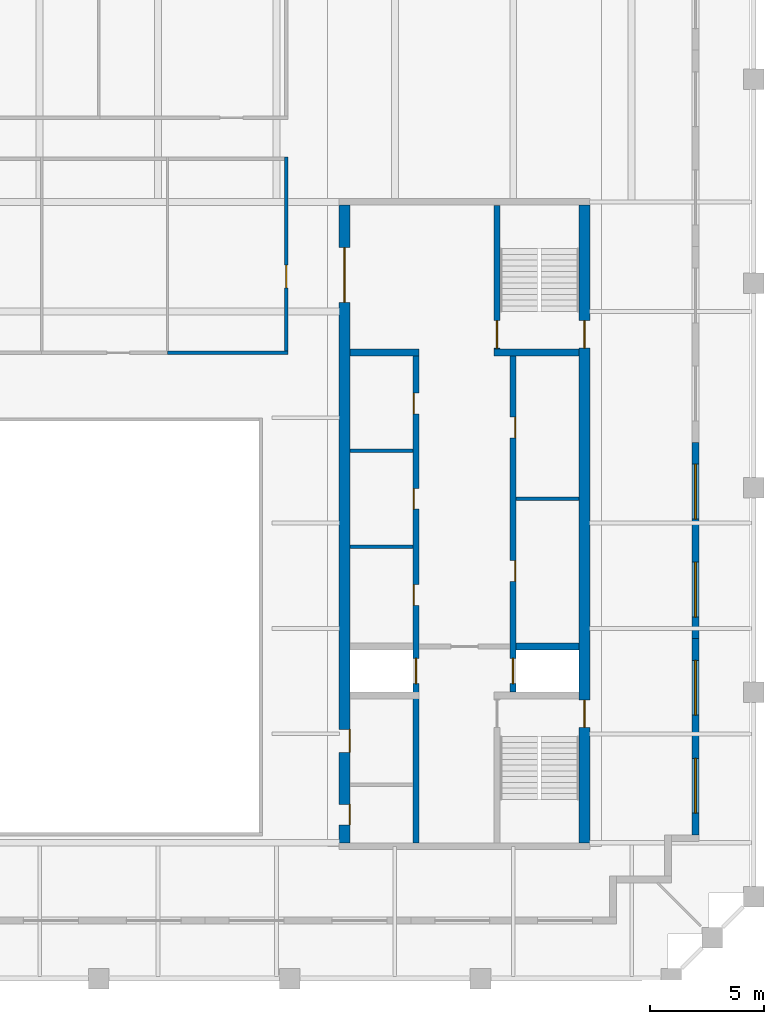
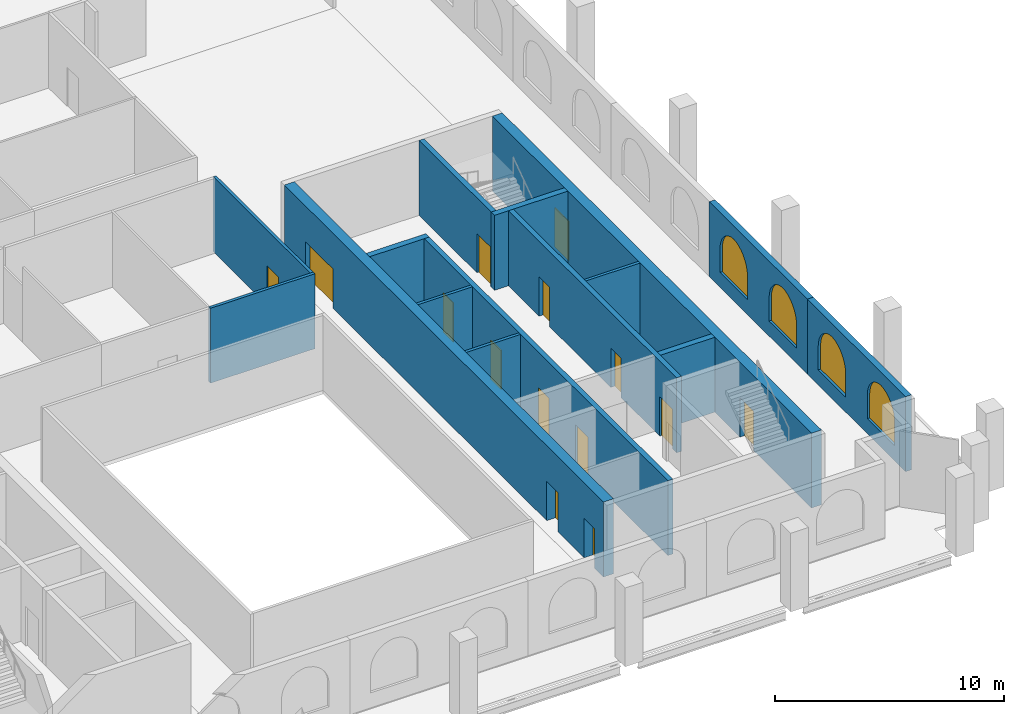
# One storey, part 5 of 10: 15 walls, 14 doors, 4 windows, 18 openings.
"""IFC4 building model written with IfcOpenShell, lengths in metres."""

from ifc_helpers import new_model, si_unit, direction, frame, frame_2d, origin, place, context, subcontext, project, spatial, polyline, rectangle, outline, extrude, material, layer, layer_set, type_object, element, fill, save


model = new_model("IFC4")

# Units and contexts
model_context = context("Model", 3, precision=1e-05, world=origin(), true_north=direction((0.0, 1.0)))
body_context = subcontext(model_context, "Body", "Model", "MODEL_VIEW")
ifc_project = project(units=[si_unit("LENGTHUNIT", "METRE"), si_unit("AREAUNIT", "SQUARE_METRE"), si_unit("VOLUMEUNIT", "CUBIC_METRE"), si_unit("PLANEANGLEUNIT", "RADIAN"), si_unit("MASSUNIT", "GRAM", prefix="KILO")], contexts=[model_context])

# Site, building, storey
site_placement = place(None, origin())
site = spatial("IfcSite", under=ifc_project, at=site_placement, CompositionType="ELEMENT")
building_placement = place(site_placement, origin())
building = spatial("IfcBuilding", under=site, at=building_placement, Name="Ogive Exchange Tower", CompositionType="ELEMENT")
storey_placement = place(building_placement, frame((0.0, 0.0, 369.0)))
storey = spatial("IfcBuildingStorey", under=building, at=storey_placement, Name="C01", CompositionType="ELEMENT", Elevation=369.0)

# Walls
ifc_material_1 = material(Name="Gypsum board partition")
ifc_layer_1 = layer(ifc_material_1, 0.14990234375)
ifc_layer_set_1 = layer_set([ifc_layer_1], Name="Core room partition 150 gypsum")
wall_type_1 = type_object("IfcWallType", Name="Core room partition 150 gypsum", PredefinedType="PARTITIONING", material=ifc_layer_set_1)
for number, where, z_axis, x_axis, name in (
    (1, (18.25, 12.60009765625, 0.0), (0.0, 0.0, 1.0), (1.0, 0.0, 0.0), "E row A bay partition 1-1"),
    (2, (11.0, 10.5, 0.0), (0.0, 0.0, 1.0), (1.0, 0.0, 0.0), "E row B bay partition 1-1"),
    (3, (11.0, 14.699951171875, 0.0), (0.0, 0.0, 1.0), (1.0, 0.0, 0.0), "E row B bay partition 1-2"),
):
    element("IfcWall", number, at=place(storey_placement, frame(where, z_axis=z_axis, x_axis=x_axis)), inside=storey, type_object=wall_type_1, Name=name, PredefinedType="PARTITIONING", context=body_context, shape_type="SweptSolid", body=[
        extrude(rectangle(XDim=2.75, YDim=0.14990234375, at=frame_2d((1.375, 0.0))), origin(), (0.0, 0.0, 1.0), 4.0),
    ])
ifc_layer_2 = layer(ifc_material_1, 0.300048828125)
ifc_layer_set_2 = layer_set([ifc_layer_2], Name="Core room partition 300 gypsum")
wall_type_2 = type_object("IfcWallType", Name="Core room partition 300 gypsum", PredefinedType="PARTITIONING", material=ifc_layer_set_2)
wall_1_placement = place(storey_placement, frame((11.0, 19.0, 0.0), z_axis=(0.0, 0.0, 1.0), x_axis=(1.0, 0.0, 0.0)))
element("IfcWall", 4, at=wall_1_placement, inside=storey, type_object=wall_type_2, Name="E row B room end wall 7", PredefinedType="PARTITIONING", context=body_context, shape_type="SweptSolid", body=[
    extrude(rectangle(XDim=3.0, YDim=0.300048828125, at=frame_2d((1.5, 0.0))), origin(), (0.0, 0.0, 1.0), 4.0),
])
ifc_material_2 = material(Name="Fire partition EI 60 150")
ifc_layer_3 = layer(ifc_material_2, 0.14990234375)
ifc_layer_set_3 = layer_set([ifc_layer_3], Name="Fire partition EI 60 150")
wall_type_3 = type_object("IfcWallType", Name="Fire partition EI 60 150", PredefinedType="PARTITIONING", material=ifc_layer_set_3)
wall_2_placement = place(storey_placement, frame((3.0, 19.0, 0.0), z_axis=(0.0, 0.0, 1.0), x_axis=(1.0, 0.0, 0.0)))
element("IfcWall", 5, at=wall_2_placement, inside=storey, type_object=wall_type_3, Name="C01-PWL-029", PredefinedType="PARTITIONING", context=body_context, shape_type="SweptSolid", body=[
    extrude(rectangle(XDim=5.27490234375, YDim=0.14990234375, at=frame_2d((2.637451171875, 0.0))), origin(), (0.0, 0.0, 1.0), 4.0),
])

# Wall, opening, door
wall_3_placement = place(storey_placement, frame((8.199951171875, 19.074951171875, 0.0), z_axis=(0.0, 0.0, 1.0), x_axis=(0.0, 1.0, 0.0)))
wall_3 = element("IfcWall", 6, at=wall_3_placement, inside=storey, type_object=wall_type_3, Name="C01-PWL-031", PredefinedType="PARTITIONING", context=body_context, shape_type="SweptSolid", body=[
    extrude(rectangle(XDim=8.47998046875, YDim=0.14990234375, at=frame_2d((4.239990234375, 0.0))), origin(), (0.0, 0.0, 1.0), 4.0),
])
opening_1_placement = place(wall_3_placement, frame((2.7548828125, 0.0, 0.0)))
opening_1 = element("IfcOpeningElement", 7, at=opening_1_placement, cuts=wall_3, Name="Opening C01-I10", PredefinedType="OPENING", context=body_context, shape_type="SweptSolid", body=[
    extrude(rectangle(XDim=1.0, YDim=2.10009765625, at=frame_2d((0.5, 1.050048828125))), frame((0.0, 0.0849609375, 0.0), z_axis=(0.0, -1.0, 0.0), x_axis=(1.0, 0.0, 0.0)), (0.0, 0.0, 1.0), 0.169921875),
])
ifc_material_3 = material(Name="Fire door FD 30S 1000 x 2100")
door_type_1 = type_object("IfcDoorType", Name="Fire door FD 30S 1000 x 2100", OperationType="NOTDEFINED", PredefinedType="DOOR", material=ifc_material_3)
door_1_placement = place(opening_1_placement, origin())
door_1 = element("IfcDoor", 8, at=door_1_placement, inside=storey, type_object=door_type_1, Name="C01-IDR-010", ObjectType="DT3", OperationType="SINGLE_SWING_RIGHT", OverallHeight=2.10009765625, OverallWidth=1.0, PredefinedType="DOOR", context=body_context, shape_type="SweptSolid", body=[
    extrude(rectangle(XDim=1.0, YDim=2.10009765625, at=frame_2d((0.5, 1.050048828125))), frame((0.0, 0.02490234375, 0.0), z_axis=(0.0, -1.0, 0.0), x_axis=(1.0, 0.0, 0.0)), (0.0, 0.0, 1.0), 0.050048828125),
])
fill(opening_1, door_1)

ifc_material_4 = material(Name="Concrete C70/85", Category="concrete")
ifc_layer_4 = layer(ifc_material_4, 0.25)
ifc_layer_set_4 = layer_set([ifc_layer_4], Name="RC core wall 250 C70/85")
wall_type_4 = type_object("IfcWallType", Name="RC core wall 250 C70/85", PredefinedType="SHEAR", material=ifc_layer_set_4)
wall_4_placement = place(storey_placement, frame((17.425048828125, 19.14990234375, 0.0), z_axis=(0.0, 0.0, 1.0), x_axis=(0.0, 1.0, 0.0)))
wall_4 = element("IfcWall", 9, at=wall_4_placement, inside=storey, type_object=wall_type_4, Name="E stair N front wall", PredefinedType="SHEAR", context=body_context, shape_type="SweptSolid", body=[
    extrude(rectangle(XDim=6.300048828125, YDim=0.25, at=frame_2d((3.14990234375, 0.0))), origin(), (0.0, 0.0, 1.0), 4.0),
])
opening_2_placement = place(wall_4_placement, frame((0.050048828125, 0.0, 0.0)))
opening_2 = element("IfcOpeningElement", 10, at=opening_2_placement, cuts=wall_4, Name="Opening C01-C27", PredefinedType="OPENING", context=body_context, shape_type="SweptSolid", body=[
    extrude(rectangle(XDim=1.199951171875, YDim=2.10009765625, at=frame_2d((0.60009765625, 1.050048828125))), frame((0.0, 0.135009765625, 0.0), z_axis=(0.0, -1.0, 0.0), x_axis=(1.0, 0.0, 0.0)), (0.0, 0.0, 1.0), 0.27001953125),
])
ifc_material_5 = material(Name="Steel fire door", Category="steel")
door_type_2 = type_object("IfcDoorType", Name="Stair door FD90 1200 x 2100", OperationType="NOTDEFINED", PredefinedType="DOOR", material=ifc_material_5)
door_2_placement = place(opening_2_placement, frame((1.199951171875, 0.0, 0.0), z_axis=(0.0, 0.0, 1.0), x_axis=(-1.0, 0.0, 0.0)))
door_2 = element("IfcDoor", 11, at=door_2_placement, inside=storey, type_object=door_type_2, Name="Stair door", ObjectType="CD5", OperationType="SINGLE_SWING_LEFT", OverallHeight=2.10009765625, OverallWidth=1.199951171875, PredefinedType="DOOR", context=body_context, shape_type="SweptSolid", body=[
    extrude(rectangle(XDim=1.199951171875, YDim=2.10009765625, at=frame_2d((0.60009765625, 1.050048828125))), frame((0.0, 0.02490234375, 0.0), z_axis=(0.0, -1.0, 0.0), x_axis=(1.0, 0.0, 0.0)), (0.0, 0.0, 1.0), 0.050048828125),
])
fill(opening_2, door_2)

# Wall, openings, doors
wall_5_placement = place(storey_placement, frame((18.125, 4.14990234375, 0.0), z_axis=(0.0, 0.0, 1.0), x_axis=(0.0, 1.0, 0.0)))
wall_5 = element("IfcWall", 12, at=wall_5_placement, inside=storey, type_object=wall_type_4, Name="E row A front wall", PredefinedType="SHEAR", context=body_context, shape_type="SweptSolid", body=[
    extrude(rectangle(XDim=14.7001953125, YDim=0.25, at=frame_2d((7.35009765625, 0.0))), origin(), (0.0, 0.0, 1.0), 4.0),
])
opening_3_placement = place(wall_5_placement, frame((4.846435546875, 0.0, 0.0)))
opening_3 = element("IfcOpeningElement", 13, at=opening_3_placement, cuts=wall_5, Name="Opening C01-C16", PredefinedType="OPENING", context=body_context, shape_type="SweptSolid", body=[
    extrude(rectangle(XDim=0.89990234375, YDim=2.10009765625, at=frame_2d((0.449951171875, 1.050048828125))), frame((0.0, 0.135009765625, 0.0), z_axis=(0.0, -1.0, 0.0), x_axis=(1.0, 0.0, 0.0)), (0.0, 0.0, 1.0), 0.27001953125),
])
opening_4_placement = place(wall_5_placement, frame((11.125, 0.0, 0.0)))
opening_4 = element("IfcOpeningElement", 14, at=opening_4_placement, cuts=wall_5, Name="Opening C01-C17", PredefinedType="OPENING", context=body_context, shape_type="SweptSolid", body=[
    extrude(rectangle(XDim=0.89990234375, YDim=2.10009765625, at=frame_2d((0.449951171875, 1.050048828125))), frame((0.0, 0.135009765625, 0.0), z_axis=(0.0, -1.0, 0.0), x_axis=(1.0, 0.0, 0.0)), (0.0, 0.0, 1.0), 0.27001953125),
])
opening_5_placement = place(wall_5_placement, frame((0.371337890625, 0.0, 0.0)))
opening_5 = element("IfcOpeningElement", 15, at=opening_5_placement, cuts=wall_5, Name="Opening C01-C18", PredefinedType="OPENING", context=body_context, shape_type="SweptSolid", body=[
    extrude(rectangle(XDim=1.10009765625, YDim=2.10009765625, at=frame_2d((0.550048828125, 1.050048828125))), frame((0.0, 0.135009765625, 0.0), z_axis=(0.0, -1.0, 0.0), x_axis=(1.0, 0.0, 0.0)), (0.0, 0.0, 1.0), 0.27001953125),
])
ifc_material_6 = material(Name="Timber fire door", Category="wood")
door_type_3 = type_object("IfcDoorType", Name="Core room door FD30S 900 x 2100", OperationType="NOTDEFINED", PredefinedType="DOOR", material=ifc_material_6)
door_3_placement = place(opening_4_placement, frame((0.89990234375, -0.2001953125, 0.0), z_axis=(0.0, 0.0, 1.0), x_axis=(-1.0, 0.0, 0.0)))
door_3 = element("IfcDoor", 16, at=door_3_placement, inside=storey, type_object=door_type_3, Name="Core room door", ObjectType="CD6", OperationType="SINGLE_SWING_LEFT", OverallHeight=2.10009765625, OverallWidth=0.89990234375, PredefinedType="DOOR", context=body_context, shape_type="SweptSolid", body=[
    extrude(rectangle(XDim=0.89990234375, YDim=2.10009765625, at=frame_2d((0.449951171875, 1.050048828125))), frame((0.0, -0.0751953125, 0.0), z_axis=(0.0, -1.0, 0.0), x_axis=(1.0, 0.0, 0.0)), (0.0, 0.0, 1.0), 0.050048828125),
])
fill(opening_4, door_3)
ifc_material_7 = material(Name="Stainless steel", Category="steel")
door_type_4 = type_object("IfcDoorType", Name="Lift landing door FD90 1100 x 2100", OperationType="SLIDING_TO_LEFT", PredefinedType="DOOR", material=ifc_material_7)
door_4_placement = place(opening_5_placement, origin())
door_4 = element("IfcDoor", 17, at=door_4_placement, inside=storey, type_object=door_type_4, Name="Lift landing door FF2", ObjectType="LD", OperationType="SLIDING_TO_LEFT", OverallHeight=2.10009765625, OverallWidth=1.10009765625, PredefinedType="DOOR", context=body_context, shape_type="SweptSolid", body=[
    extrude(rectangle(XDim=1.10009765625, YDim=2.10009765625, at=frame_2d((0.550048828125, 1.050048828125))), frame((0.0, 0.02490234375, 0.0), z_axis=(0.0, -1.0, 0.0), x_axis=(1.0, 0.0, 0.0)), (0.0, 0.0, 1.0), 0.050048828125),
])
fill(opening_5, door_4)
door_type_5 = type_object("IfcDoorType", Name="Riser door FD60 900 x 2100", OperationType="NOTDEFINED", PredefinedType="DOOR", material=ifc_material_5)
door_5_placement = place(opening_3_placement, frame((0.89990234375, -0.2001953125, 0.0), z_axis=(0.0, 0.0, 1.0), x_axis=(-1.0, 0.0, 0.0)))
door_5 = element("IfcDoor", 18, at=door_5_placement, inside=storey, type_object=door_type_5, Name="Riser door", ObjectType="CD2", OperationType="SINGLE_SWING_LEFT", OverallHeight=2.10009765625, OverallWidth=0.89990234375, PredefinedType="DOOR", context=body_context, shape_type="SweptSolid", body=[
    extrude(rectangle(XDim=0.89990234375, YDim=2.10009765625, at=frame_2d((0.449951171875, 1.050048828125))), frame((0.0, -0.0751953125, 0.0), z_axis=(0.0, -1.0, 0.0), x_axis=(1.0, 0.0, 0.0)), (0.0, 0.0, 1.0), 0.050048828125),
])
fill(opening_3, door_5)

wall_6_placement = place(storey_placement, frame((13.875, -2.449951171875, 0.0), z_axis=(0.0, 0.0, 1.0), x_axis=(0.0, 1.0, 0.0)))
wall_6 = element("IfcWall", 19, at=wall_6_placement, inside=storey, type_object=wall_type_4, Name="E row B front wall", PredefinedType="SHEAR", context=body_context, shape_type="SweptSolid", body=[
    extrude(rectangle(XDim=21.300048828125, YDim=0.25, at=frame_2d((10.64990234375, 0.0))), origin(), (0.0, 0.0, 1.0), 4.0),
])
opening_6_placement = place(wall_6_placement, frame((10.396484375, 0.0, 0.0)))
opening_6 = element("IfcOpeningElement", 20, at=opening_6_placement, cuts=wall_6, Name="Opening C01-C19", PredefinedType="OPENING", context=body_context, shape_type="SweptSolid", body=[
    extrude(rectangle(XDim=0.89990234375, YDim=2.10009765625, at=frame_2d((0.449951171875, 1.050048828125))), frame((0.0, 0.135009765625, 0.0), z_axis=(0.0, -1.0, 0.0), x_axis=(1.0, 0.0, 0.0)), (0.0, 0.0, 1.0), 0.27001953125),
])
opening_7_placement = place(wall_6_placement, frame((14.60009765625, 0.0, 0.0)))
opening_7 = element("IfcOpeningElement", 21, at=opening_7_placement, cuts=wall_6, Name="Opening C01-C20", PredefinedType="OPENING", context=body_context, shape_type="SweptSolid", body=[
    extrude(rectangle(XDim=0.89990234375, YDim=2.10009765625, at=frame_2d((0.449951171875, 1.050048828125))), frame((0.0, 0.135009765625, 0.0), z_axis=(0.0, -1.0, 0.0), x_axis=(1.0, 0.0, 0.0)), (0.0, 0.0, 1.0), 0.27001953125),
])
opening_8_placement = place(wall_6_placement, frame((18.77490234375, 0.0, 0.0)))
opening_8 = element("IfcOpeningElement", 22, at=opening_8_placement, cuts=wall_6, Name="Opening C01-C21", PredefinedType="OPENING", context=body_context, shape_type="SweptSolid", body=[
    extrude(rectangle(XDim=0.89990234375, YDim=2.10009765625, at=frame_2d((0.449951171875, 1.050048828125))), frame((0.0, 0.135009765625, 0.0), z_axis=(0.0, -1.0, 0.0), x_axis=(1.0, 0.0, 0.0)), (0.0, 0.0, 1.0), 0.27001953125),
])
opening_9_placement = place(wall_6_placement, frame((6.971435546875, 0.0, 0.0)))
opening_9 = element("IfcOpeningElement", 23, at=opening_9_placement, cuts=wall_6, Name="Opening C01-C22", PredefinedType="OPENING", context=body_context, shape_type="SweptSolid", body=[
    extrude(rectangle(XDim=1.10009765625, YDim=2.10009765625, at=frame_2d((0.550048828125, 1.050048828125))), frame((0.0, 0.135009765625, 0.0), z_axis=(0.0, -1.0, 0.0), x_axis=(1.0, 0.0, 0.0)), (0.0, 0.0, 1.0), 0.27001953125),
])
door_6_placement = place(opening_6_placement, origin())
door_6 = element("IfcDoor", 24, at=door_6_placement, inside=storey, type_object=door_type_3, Name="Core room door", ObjectType="CD6", OperationType="SINGLE_SWING_LEFT", OverallHeight=2.10009765625, OverallWidth=0.89990234375, PredefinedType="DOOR", context=body_context, shape_type="SweptSolid", body=[
    extrude(rectangle(XDim=0.89990234375, YDim=2.10009765625, at=frame_2d((0.449951171875, 1.050048828125))), frame((0.0, 0.125, 0.0), z_axis=(0.0, -1.0, 0.0), x_axis=(1.0, 0.0, 0.0)), (0.0, 0.0, 1.0), 0.050048828125),
])
fill(opening_6, door_6)
door_7_placement = place(opening_9_placement, origin())
door_7 = element("IfcDoor", 25, at=door_7_placement, inside=storey, type_object=door_type_4, Name="Lift landing door SV2", ObjectType="LD", OperationType="SLIDING_TO_LEFT", OverallHeight=2.10009765625, OverallWidth=1.10009765625, PredefinedType="DOOR", context=body_context, shape_type="SweptSolid", body=[
    extrude(rectangle(XDim=1.10009765625, YDim=2.10009765625, at=frame_2d((0.550048828125, 1.050048828125))), frame((0.0, 0.02490234375, 0.0), z_axis=(0.0, -1.0, 0.0), x_axis=(1.0, 0.0, 0.0)), (0.0, 0.0, 1.0), 0.050048828125),
])
fill(opening_9, door_7)
door_8_placement = place(opening_7_placement, origin())
door_8 = element("IfcDoor", 26, at=door_8_placement, inside=storey, type_object=door_type_5, Name="Riser door", ObjectType="CD2", OperationType="SINGLE_SWING_RIGHT", OverallHeight=2.10009765625, OverallWidth=0.89990234375, PredefinedType="DOOR", context=body_context, shape_type="SweptSolid", body=[
    extrude(rectangle(XDim=0.89990234375, YDim=2.10009765625, at=frame_2d((0.449951171875, 1.050048828125))), frame((0.0, 0.125, 0.0), z_axis=(0.0, -1.0, 0.0), x_axis=(1.0, 0.0, 0.0)), (0.0, 0.0, 1.0), 0.050048828125),
])
fill(opening_7, door_8)
door_9_placement = place(opening_8_placement, origin())
door_9 = element("IfcDoor", 27, at=door_9_placement, inside=storey, type_object=door_type_5, Name="Riser door", ObjectType="CD2", OperationType="SINGLE_SWING_RIGHT", OverallHeight=2.10009765625, OverallWidth=0.89990234375, PredefinedType="DOOR", context=body_context, shape_type="SweptSolid", body=[
    extrude(rectangle(XDim=0.89990234375, YDim=2.10009765625, at=frame_2d((0.449951171875, 1.050048828125))), frame((0.0, 0.125, 0.0), z_axis=(0.0, -1.0, 0.0), x_axis=(1.0, 0.0, 0.0)), (0.0, 0.0, 1.0), 0.050048828125),
])
fill(opening_8, door_9)

# Walls
ifc_layer_5 = layer(ifc_material_4, 0.300048828125)
ifc_layer_set_5 = layer_set([ifc_layer_5], Name="RC core wall 300 C70/85")
wall_type_5 = type_object("IfcWallType", Name="RC core wall 300 C70/85", PredefinedType="SHEAR", material=ifc_layer_set_5)
wall_7_placement = place(storey_placement, frame((17.300048828125, 19.0, 0.0), z_axis=(0.0, 0.0, 1.0), x_axis=(1.0, 0.0, 0.0)))
element("IfcWall", 28, at=wall_7_placement, inside=storey, type_object=wall_type_5, Name="E stair N south wall", PredefinedType="SHEAR", context=body_context, shape_type="SweptSolid", body=[
    extrude(rectangle(XDim=3.699951171875, YDim=0.300048828125, at=frame_2d((1.85009765625, 0.0))), origin(), (0.0, 0.0, 1.0), 4.0),
])
wall_8_placement = place(storey_placement, frame((18.25, 6.142822265625, 0.0), z_axis=(0.0, 0.0, 1.0), x_axis=(1.0, 0.0, 0.0)))
element("IfcWall", 29, at=wall_8_placement, inside=storey, type_object=wall_type_5, Name="E row A divider 1", PredefinedType="SHEAR", context=body_context, shape_type="SweptSolid", body=[
    extrude(rectangle(XDim=2.75, YDim=0.300048828125, at=frame_2d((1.375, 0.0))), origin(), (0.0, 0.0, 1.0), 4.0),
])

# Wall, openings, doors
ifc_layer_6 = layer(ifc_material_4, 0.5)
ifc_layer_set_6 = layer_set([ifc_layer_6], Name="RC core wall 500 C70/85")
wall_type_6 = type_object("IfcWallType", Name="RC core wall 500 C70/85", PredefinedType="SHEAR", material=ifc_layer_set_6)
wall_9_placement = place(storey_placement, frame((21.25, -2.449951171875, 0.0), z_axis=(0.0, 0.0, 1.0), x_axis=(0.0, 1.0, 0.0)))
wall_9 = element("IfcWall", 30, at=wall_9_placement, inside=storey, type_object=wall_type_6, Name="E outer wall", PredefinedType="SHEAR", context=body_context, shape_type="SweptSolid", body=[
    extrude(rectangle(XDim=27.89990234375, YDim=0.5, at=frame_2d((13.949951171875, 0.0))), origin(), (0.0, 0.0, 1.0), 4.0),
])
opening_10_placement = place(wall_9_placement, frame((5.050048828125, 0.0, 0.0)))
opening_10 = element("IfcOpeningElement", 31, at=opening_10_placement, cuts=wall_9, Name="Opening C01-C26", PredefinedType="OPENING", context=body_context, shape_type="SweptSolid", body=[
    extrude(rectangle(XDim=1.199951171875, YDim=2.10009765625, at=frame_2d((0.60009765625, 1.050048828125))), frame((0.0, 0.260009765625, 0.0), z_axis=(0.0, -1.0, 0.0), x_axis=(1.0, 0.0, 0.0)), (0.0, 0.0, 1.0), 0.52001953125),
])
opening_11_placement = place(wall_9_placement, frame((21.64990234375, 0.0, 0.0)))
opening_11 = element("IfcOpeningElement", 32, at=opening_11_placement, cuts=wall_9, Name="Opening C01-C28", PredefinedType="OPENING", context=body_context, shape_type="SweptSolid", body=[
    extrude(rectangle(XDim=1.199951171875, YDim=2.10009765625, at=frame_2d((0.60009765625, 1.050048828125))), frame((0.0, 0.260009765625, 0.0), z_axis=(0.0, -1.0, 0.0), x_axis=(1.0, 0.0, 0.0)), (0.0, 0.0, 1.0), 0.52001953125),
])
door_10_placement = place(opening_10_placement, frame((1.199951171875, 0.0, 0.0), z_axis=(0.0, 0.0, 1.0), x_axis=(-1.0, 0.0, 0.0)))
door_10 = element("IfcDoor", 33, at=door_10_placement, inside=storey, type_object=door_type_2, Name="Stair door", ObjectType="CD5", OperationType="SINGLE_SWING_RIGHT", OverallHeight=2.10009765625, OverallWidth=1.199951171875, PredefinedType="DOOR", context=body_context, shape_type="SweptSolid", body=[
    extrude(rectangle(XDim=1.199951171875, YDim=2.10009765625, at=frame_2d((0.60009765625, 1.050048828125))), frame((0.0, 0.02490234375, 0.0), z_axis=(0.0, -1.0, 0.0), x_axis=(1.0, 0.0, 0.0)), (0.0, 0.0, 1.0), 0.050048828125),
])
fill(opening_10, door_10)
door_11_placement = place(opening_11_placement, frame((1.199951171875, 0.0, 0.0), z_axis=(0.0, 0.0, 1.0), x_axis=(-1.0, 0.0, 0.0)))
door_11 = element("IfcDoor", 34, at=door_11_placement, inside=storey, type_object=door_type_2, Name="Stair door", ObjectType="CD5", OperationType="SINGLE_SWING_LEFT", OverallHeight=2.10009765625, OverallWidth=1.199951171875, PredefinedType="DOOR", context=body_context, shape_type="SweptSolid", body=[
    extrude(rectangle(XDim=1.199951171875, YDim=2.10009765625, at=frame_2d((0.60009765625, 1.050048828125))), frame((0.0, 0.02490234375, 0.0), z_axis=(0.0, -1.0, 0.0), x_axis=(1.0, 0.0, 0.0)), (0.0, 0.0, 1.0), 0.050048828125),
])
fill(opening_11, door_11)

wall_10_placement = place(storey_placement, frame((10.75, -2.449951171875, 0.0), z_axis=(0.0, 0.0, 1.0), x_axis=(0.0, 1.0, 0.0)))
wall_10 = element("IfcWall", 35, at=wall_10_placement, inside=storey, type_object=wall_type_6, Name="E inner wall", PredefinedType="SHEAR", context=body_context, shape_type="SweptSolid", body=[
    extrude(rectangle(XDim=27.89990234375, YDim=0.5, at=frame_2d((13.949951171875, 0.0))), origin(), (0.0, 0.0, 1.0), 4.0),
])
opening_12_placement = place(wall_10_placement, frame((23.64990234375, 0.0, 0.0)))
opening_12 = element("IfcOpeningElement", 36, at=opening_12_placement, cuts=wall_10, Name="Opening C01-C24", PredefinedType="OPENING", context=body_context, shape_type="SweptSolid", body=[
    extrude(rectangle(XDim=2.39990234375, YDim=2.10009765625, at=frame_2d((1.199951171875, 1.050048828125))), frame((0.0, 0.260009765625, 0.0), z_axis=(0.0, -1.0, 0.0), x_axis=(1.0, 0.0, 0.0)), (0.0, 0.0, 1.0), 0.52001953125),
])
opening_13_placement = place(wall_10_placement, frame((0.78759765625, 0.0, 0.0)))
opening_13 = element("IfcOpeningElement", 37, at=opening_13_placement, cuts=wall_10, Name="Opening C01-C29", PredefinedType="OPENING", context=body_context, shape_type="SweptSolid", body=[
    extrude(rectangle(XDim=0.89990234375, YDim=2.10009765625, at=frame_2d((0.449951171875, 1.050048828125))), frame((0.0, 0.260009765625, 0.0), z_axis=(0.0, -1.0, 0.0), x_axis=(1.0, 0.0, 0.0)), (0.0, 0.0, 1.0), 0.52001953125),
])
opening_14_placement = place(wall_10_placement, frame((3.96240234375, 0.0, 0.0)))
opening_14 = element("IfcOpeningElement", 38, at=opening_14_placement, cuts=wall_10, Name="Opening C01-C30", PredefinedType="OPENING", context=body_context, shape_type="SweptSolid", body=[
    extrude(rectangle(XDim=1.0, YDim=2.10009765625, at=frame_2d((0.5, 1.050048828125))), frame((0.0, 0.260009765625, 0.0), z_axis=(0.0, -1.0, 0.0), x_axis=(1.0, 0.0, 0.0)), (0.0, 0.0, 1.0), 0.52001953125),
])
door_type_6 = type_object("IfcDoorType", Name="Accessible WC door FD30S 1000 x 2100", OperationType="NOTDEFINED", PredefinedType="DOOR", material=ifc_material_6)
door_12_placement = place(opening_14_placement, origin())
door_12 = element("IfcDoor", 39, at=door_12_placement, inside=storey, type_object=door_type_6, Name="Accessible WC door", ObjectType="CD7", OperationType="SINGLE_SWING_LEFT", OverallHeight=2.10009765625, OverallWidth=1.0, PredefinedType="DOOR", context=body_context, shape_type="SweptSolid", body=[
    extrude(rectangle(XDim=1.0, YDim=2.10009765625, at=frame_2d((0.5, 1.050048828125))), frame((0.0, -0.2001953125, 0.0), z_axis=(0.0, -1.0, 0.0), x_axis=(1.0, 0.0, 0.0)), (0.0, 0.0, 1.0), 0.050048828125),
])
fill(opening_14, door_12)
door_13_placement = place(opening_13_placement, origin())
door_13 = element("IfcDoor", 40, at=door_13_placement, inside=storey, type_object=door_type_3, Name="Core room door", ObjectType="CD6", OperationType="SINGLE_SWING_RIGHT", OverallHeight=2.10009765625, OverallWidth=0.89990234375, PredefinedType="DOOR", context=body_context, shape_type="SweptSolid", body=[
    extrude(rectangle(XDim=0.89990234375, YDim=2.10009765625, at=frame_2d((0.449951171875, 1.050048828125))), frame((0.0, -0.2001953125, 0.0), z_axis=(0.0, -1.0, 0.0), x_axis=(1.0, 0.0, 0.0)), (0.0, 0.0, 1.0), 0.050048828125),
])
fill(opening_13, door_13)
ifc_material_8 = material(Name="Glazed steel fire door", Category="steel")
door_type_7 = type_object("IfcDoorType", Name="Lift lobby double door FD60 2400 x 2100", OperationType="DOUBLE_DOOR_SINGLE_SWING", PredefinedType="DOOR", material=ifc_material_8)
door_14_placement = place(opening_12_placement, origin())
door_14 = element("IfcDoor", 41, at=door_14_placement, inside=storey, type_object=door_type_7, Name="Lift lobby double door", ObjectType="CD4", OperationType="DOUBLE_DOOR_SINGLE_SWING", OverallHeight=2.10009765625, OverallWidth=2.39990234375, PredefinedType="DOOR", context=body_context, shape_type="SweptSolid", body=[
    extrude(rectangle(XDim=2.39990234375, YDim=2.10009765625, at=frame_2d((1.199951171875, 1.050048828125))), frame((0.0, 0.02490234375, 0.0), z_axis=(0.0, -1.0, 0.0), x_axis=(1.0, 0.0, 0.0)), (0.0, 0.0, 1.0), 0.050048828125),
])
fill(opening_12, door_14)

# Wall, openings, windows
ifc_material_9 = material(Name="Precast concrete C40/50", Category="concrete")
ifc_layer_7 = layer(ifc_material_9, 0.300048828125)
ifc_layer_set_7 = layer_set([ifc_layer_7], Name="Zinc-clad crown wall 300")
wall_type_7 = type_object("IfcWallType", Name="Zinc-clad crown wall 300", PredefinedType="STANDARD", material=ifc_layer_set_7)
wall_11_placement = place(storey_placement, frame((26.10009765625, -2.10009765625, 0.0), z_axis=(0.0, 0.0, 1.0), x_axis=(0.0, 1.0, 0.0)))
wall_11 = element("IfcWall", 42, at=wall_11_placement, inside=storey, type_object=wall_type_7, Name="Crown wall 13", PredefinedType="STANDARD", context=body_context, shape_type="SweptSolid", body=[
    extrude(rectangle(XDim=8.58349609375, YDim=0.300048828125, at=frame_2d((4.291748046875, 0.0))), origin(), (0.0, 0.0, 1.0), 4.0),
])
opening_15_placement = place(wall_11_placement, frame((0.94580078125, 0.0, 0.800048828125)))
opening_15 = element("IfcOpeningElement", 43, at=opening_15_placement, cuts=wall_11, Name="Opening WC25", PredefinedType="OPENING", context=body_context, shape_type="SweptSolid", body=[
    extrude(outline(polyline([(0.0, 0.0), (2.39990234375, 0.0), (2.39990234375, 1.25), (2.377197265625, 1.48779296875), (2.3095703125, 1.717041015625), (2.19970703125, 1.928955078125), (2.05126953125, 2.116455078125), (1.8701171875, 2.272216796875), (1.662841796875, 2.390625), (1.4365234375, 2.467529296875), (1.199951171875, 2.5), (0.96337890625, 2.467529296875), (0.737060546875, 2.390625), (0.52978515625, 2.272216796875), (0.3486328125, 2.116455078125), (0.2001953125, 1.928955078125), (0.09033203125, 1.717041015625), (0.022705078125, 1.48779296875), (0.0, 1.25), (0.0, 0.0)])), frame((0.0, 0.159912109375, 0.0), z_axis=(0.0, -1.0, 0.0), x_axis=(1.0, 0.0, 0.0)), (0.0, 0.0, 1.0), 0.320068359375),
])
opening_16_placement = place(wall_11_placement, frame((5.237548828125, 0.0, 0.800048828125)))
opening_16 = element("IfcOpeningElement", 44, at=opening_16_placement, cuts=wall_11, Name="Opening WC25", PredefinedType="OPENING", context=body_context, shape_type="SweptSolid", body=[
    extrude(outline(polyline([(0.0, 0.0), (2.39990234375, 0.0), (2.39990234375, 1.25), (2.377197265625, 1.48779296875), (2.3095703125, 1.717041015625), (2.19970703125, 1.928955078125), (2.05126953125, 2.116455078125), (1.8701171875, 2.272216796875), (1.662841796875, 2.390625), (1.4365234375, 2.467529296875), (1.199951171875, 2.5), (0.96337890625, 2.467529296875), (0.737060546875, 2.390625), (0.52978515625, 2.272216796875), (0.3486328125, 2.116455078125), (0.2001953125, 1.928955078125), (0.09033203125, 1.717041015625), (0.022705078125, 1.48779296875), (0.0, 1.25), (0.0, 0.0)])), frame((0.0, 0.159912109375, 0.0), z_axis=(0.0, -1.0, 0.0), x_axis=(1.0, 0.0, 0.0)), (0.0, 0.0, 1.0), 0.320068359375),
])
ifc_material_10 = material(Name="Clear glass in bronze frame", Category="glass")
window_type = type_object("IfcWindowType", Name="Crown lancet window 2400 x 2500", PartitioningType="DOUBLE_PANEL_VERTICAL", PredefinedType="WINDOW", material=ifc_material_10)
window_1_placement = place(opening_15_placement, origin())
window_1 = element("IfcWindow", 45, at=window_1_placement, inside=storey, type_object=window_type, Name="Crown lancet 13.1", OverallHeight=2.5, OverallWidth=2.39990234375, PartitioningType="DOUBLE_PANEL_VERTICAL", PredefinedType="WINDOW", context=body_context, shape_type="SweptSolid", body=[
    extrude(outline(polyline([(0.0, 0.0), (2.39990234375, 0.0), (2.39990234375, 1.25), (2.377197265625, 1.48779296875), (2.3095703125, 1.717041015625), (2.19970703125, 1.928955078125), (2.05126953125, 2.116455078125), (1.8701171875, 2.272216796875), (1.662841796875, 2.390625), (1.4365234375, 2.467529296875), (1.199951171875, 2.5), (0.96337890625, 2.467529296875), (0.737060546875, 2.390625), (0.52978515625, 2.272216796875), (0.3486328125, 2.116455078125), (0.2001953125, 1.928955078125), (0.09033203125, 1.717041015625), (0.022705078125, 1.48779296875), (0.0, 1.25), (0.0, 0.0)])), frame((0.0, 0.030029296875, 0.0), z_axis=(0.0, -1.0, 0.0), x_axis=(1.0, 0.0, 0.0)), (0.0, 0.0, 1.0), 0.06005859375),
])
fill(opening_15, window_1)
window_2_placement = place(opening_16_placement, origin())
window_2 = element("IfcWindow", 46, at=window_2_placement, inside=storey, type_object=window_type, Name="Crown lancet 13.2", OverallHeight=2.5, OverallWidth=2.39990234375, PartitioningType="DOUBLE_PANEL_VERTICAL", PredefinedType="WINDOW", context=body_context, shape_type="SweptSolid", body=[
    extrude(outline(polyline([(0.0, 0.0), (2.39990234375, 0.0), (2.39990234375, 1.25), (2.377197265625, 1.48779296875), (2.3095703125, 1.717041015625), (2.19970703125, 1.928955078125), (2.05126953125, 2.116455078125), (1.8701171875, 2.272216796875), (1.662841796875, 2.390625), (1.4365234375, 2.467529296875), (1.199951171875, 2.5), (0.96337890625, 2.467529296875), (0.737060546875, 2.390625), (0.52978515625, 2.272216796875), (0.3486328125, 2.116455078125), (0.2001953125, 1.928955078125), (0.09033203125, 1.717041015625), (0.022705078125, 1.48779296875), (0.0, 1.25), (0.0, 0.0)])), frame((0.0, 0.030029296875, 0.0), z_axis=(0.0, -1.0, 0.0), x_axis=(1.0, 0.0, 0.0)), (0.0, 0.0, 1.0), 0.06005859375),
])
fill(opening_16, window_2)

wall_12_placement = place(storey_placement, frame((26.10009765625, 6.4833984375, 0.0), z_axis=(0.0, 0.0, 1.0), x_axis=(0.0, 1.0, 0.0)))
wall_12 = element("IfcWall", 47, at=wall_12_placement, inside=storey, type_object=wall_type_7, Name="Crown wall 14", PredefinedType="STANDARD", context=body_context, shape_type="SweptSolid", body=[
    extrude(rectangle(XDim=8.583251953125, YDim=0.300048828125, at=frame_2d((4.29150390625, 0.0))), origin(), (0.0, 0.0, 1.0), 4.0),
])
opening_17_placement = place(wall_12_placement, frame((0.94580078125, 0.0, 0.800048828125)))
opening_17 = element("IfcOpeningElement", 48, at=opening_17_placement, cuts=wall_12, Name="Opening WC25", PredefinedType="OPENING", context=body_context, shape_type="SweptSolid", body=[
    extrude(outline(polyline([(0.0, 0.0), (2.39990234375, 0.0), (2.39990234375, 1.25), (2.377197265625, 1.48779296875), (2.3095703125, 1.717041015625), (2.19970703125, 1.928955078125), (2.05126953125, 2.116455078125), (1.8701171875, 2.272216796875), (1.662841796875, 2.390625), (1.4365234375, 2.467529296875), (1.199951171875, 2.5), (0.96337890625, 2.467529296875), (0.737060546875, 2.390625), (0.52978515625, 2.272216796875), (0.3486328125, 2.116455078125), (0.2001953125, 1.928955078125), (0.09033203125, 1.717041015625), (0.022705078125, 1.48779296875), (0.0, 1.25), (0.0, 0.0)])), frame((0.0, 0.159912109375, 0.0), z_axis=(0.0, -1.0, 0.0), x_axis=(1.0, 0.0, 0.0)), (0.0, 0.0, 1.0), 0.320068359375),
])
opening_18_placement = place(wall_12_placement, frame((5.237548828125, 0.0, 0.800048828125)))
opening_18 = element("IfcOpeningElement", 49, at=opening_18_placement, cuts=wall_12, Name="Opening WC25", PredefinedType="OPENING", context=body_context, shape_type="SweptSolid", body=[
    extrude(outline(polyline([(0.0, 0.0), (2.39990234375, 0.0), (2.39990234375, 1.25), (2.377197265625, 1.48779296875), (2.3095703125, 1.717041015625), (2.19970703125, 1.928955078125), (2.05126953125, 2.116455078125), (1.8701171875, 2.272216796875), (1.662841796875, 2.390625), (1.4365234375, 2.467529296875), (1.199951171875, 2.5), (0.96337890625, 2.467529296875), (0.737060546875, 2.390625), (0.52978515625, 2.272216796875), (0.3486328125, 2.116455078125), (0.2001953125, 1.928955078125), (0.09033203125, 1.717041015625), (0.022705078125, 1.48779296875), (0.0, 1.25), (0.0, 0.0)])), frame((0.0, 0.159912109375, 0.0), z_axis=(0.0, -1.0, 0.0), x_axis=(1.0, 0.0, 0.0)), (0.0, 0.0, 1.0), 0.320068359375),
])
window_3_placement = place(opening_17_placement, origin())
window_3 = element("IfcWindow", 50, at=window_3_placement, inside=storey, type_object=window_type, Name="Crown lancet 14.1", OverallHeight=2.5, OverallWidth=2.39990234375, PartitioningType="DOUBLE_PANEL_VERTICAL", PredefinedType="WINDOW", context=body_context, shape_type="SweptSolid", body=[
    extrude(outline(polyline([(0.0, 0.0), (2.39990234375, 0.0), (2.39990234375, 1.25), (2.377197265625, 1.48779296875), (2.3095703125, 1.717041015625), (2.19970703125, 1.928955078125), (2.05126953125, 2.116455078125), (1.8701171875, 2.272216796875), (1.662841796875, 2.390625), (1.4365234375, 2.467529296875), (1.199951171875, 2.5), (0.96337890625, 2.467529296875), (0.737060546875, 2.390625), (0.52978515625, 2.272216796875), (0.3486328125, 2.116455078125), (0.2001953125, 1.928955078125), (0.09033203125, 1.717041015625), (0.022705078125, 1.48779296875), (0.0, 1.25), (0.0, 0.0)])), frame((0.0, 0.030029296875, 0.0), z_axis=(0.0, -1.0, 0.0), x_axis=(1.0, 0.0, 0.0)), (0.0, 0.0, 1.0), 0.06005859375),
])
fill(opening_17, window_3)
window_4_placement = place(opening_18_placement, origin())
window_4 = element("IfcWindow", 51, at=window_4_placement, inside=storey, type_object=window_type, Name="Crown lancet 14.2", OverallHeight=2.5, OverallWidth=2.39990234375, PartitioningType="DOUBLE_PANEL_VERTICAL", PredefinedType="WINDOW", context=body_context, shape_type="SweptSolid", body=[
    extrude(outline(polyline([(0.0, 0.0), (2.39990234375, 0.0), (2.39990234375, 1.25), (2.377197265625, 1.48779296875), (2.3095703125, 1.717041015625), (2.19970703125, 1.928955078125), (2.05126953125, 2.116455078125), (1.8701171875, 2.272216796875), (1.662841796875, 2.390625), (1.4365234375, 2.467529296875), (1.199951171875, 2.5), (0.96337890625, 2.467529296875), (0.737060546875, 2.390625), (0.52978515625, 2.272216796875), (0.3486328125, 2.116455078125), (0.2001953125, 1.928955078125), (0.09033203125, 1.717041015625), (0.022705078125, 1.48779296875), (0.0, 1.25), (0.0, 0.0)])), frame((0.0, 0.030029296875, 0.0), z_axis=(0.0, -1.0, 0.0), x_axis=(1.0, 0.0, 0.0)), (0.0, 0.0, 1.0), 0.06005859375),
])
fill(opening_18, window_4)

save(model, "model.ifc")
